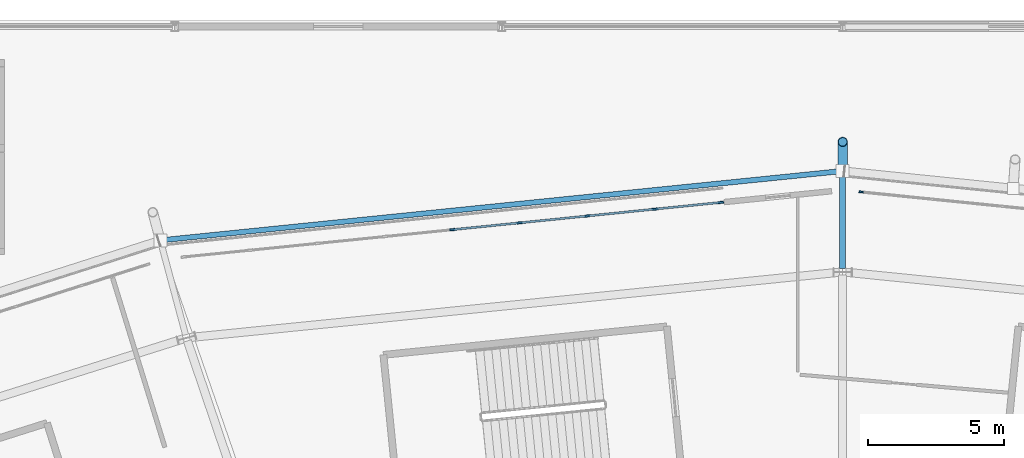
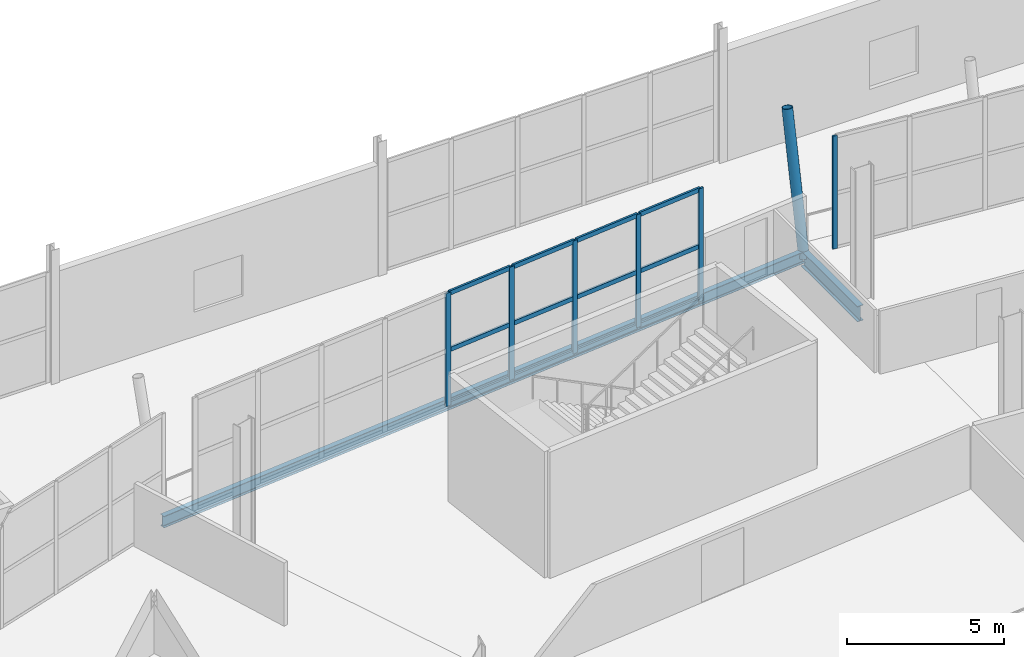
# One storey, part 70 of 168: 19 members, 2 beams, 2 elements without a shape of their own.
"""IFC4 building model written with IfcOpenShell, lengths in metres."""

from ifc_helpers import new_model, si_unit, direction, frame, origin, origin_2d, place, context, subcontext, project, spatial, rectangle, hollow_circle, i_section, extrude, material, material_profile, profile_set, type_object, element, aggregate, save


model = new_model("IFC4")

# Units and contexts
model_context = context("Model", 3, precision=1e-05, world=origin(), true_north=direction((0.0, 1.0)))
body_context = subcontext(model_context, "Body", "Model", "MODEL_VIEW")
ifc_project = project(units=[si_unit("LENGTHUNIT", "METRE"), si_unit("AREAUNIT", "SQUARE_METRE"), si_unit("VOLUMEUNIT", "CUBIC_METRE"), si_unit("PLANEANGLEUNIT", "RADIAN"), si_unit("MASSUNIT", "GRAM", prefix="KILO")], contexts=[model_context])

# Site, building, storey
site_placement = place(None, origin())
site = spatial("IfcSite", under=ifc_project, at=site_placement, CompositionType="ELEMENT")
building_placement = place(site_placement, origin())
building = spatial("IfcBuilding", under=site, at=building_placement, Name="Zlatoyarsky Gate Stadium", CompositionType="ELEMENT")
storey_placement = place(building_placement, frame((0.0, 0.0, 15.60009765625)))
storey = spatial("IfcBuildingStorey", under=building, at=storey_placement, Name="L03", CompositionType="ELEMENT", Elevation=15.60009765625)

# Curtain wall, members
ifc_material_1 = material(Name="Thermally broken anodised aluminium curtain wall", Category="aluminium")
curtain_wall_type_1 = type_object("IfcCurtainWallType", Name="MONUMENTAL ARCHED GATE GLAZING UPPER", PredefinedType="USERDEFINED", material=ifc_material_1)
curtain_wall_1_placement = place(storey_placement, origin())
curtain_wall_1 = element("IfcCurtainWall", 1, at=curtain_wall_1_placement, inside=storey, type_object=curtain_wall_type_1, Name="Curtain wall CW-L03-06", ObjectType="ARCHED GATE GLAZING", PredefinedType="USERDEFINED")
ifc_material_2 = material(Name="Anodised aluminium 6063-T6", Category="aluminium")
ifc_material_profile_1 = material_profile(ifc_material_2, rectangle(XDim=0.074951171875, YDim=0.18994140625, at=origin_2d()), Name="ALU 75X190")
ifc_profile_set_1 = profile_set([ifc_material_profile_1], Name="Anodised aluminium 6063-T6")
member_type_1 = type_object("IfcMemberType", Name="ALUMINIUM GATE MULLION 75X190", PredefinedType="MULLION", material=ifc_profile_set_1)
member_1_placement = place(storey_placement, frame((106.535400390625, 153.549072265625, 0.0), z_axis=(0.0, 0.0, 1.0), x_axis=(0.100967231657, -0.994889751747, 0.0)))
member_1 = element("IfcMember", 2, at=member_1_placement, type_object=member_type_1, Name="CW-AG2 mullion 1", PredefinedType="MULLION", context=body_context, shape_type="SweptSolid", body=[
    extrude(rectangle(XDim=0.074951171875, YDim=0.18994140625, at=origin_2d()), origin(), (0.0, 0.0, 1.0), 4.3798828125),
])
member_2_placement = place(storey_placement, frame((104.10107421875, 153.302001953125, 0.0), z_axis=(0.0, 0.0, 1.0), x_axis=(0.100967231657, -0.994889751747, 0.0)))
member_2 = element("IfcMember", 3, at=member_2_placement, type_object=member_type_1, Name="CW-AG2 mullion 2", PredefinedType="MULLION", context=body_context, shape_type="SweptSolid", body=[
    extrude(rectangle(XDim=0.074951171875, YDim=0.18994140625, at=origin_2d()), origin(), (0.0, 0.0, 1.0), 4.3798828125),
])
member_3_placement = place(storey_placement, frame((101.62939453125, 153.05126953125, 0.0), z_axis=(0.0, 0.0, 1.0), x_axis=(0.100967231657, -0.994889751747, 0.0)))
member_3 = element("IfcMember", 4, at=member_3_placement, type_object=member_type_1, Name="CW-AG2 mullion 3", PredefinedType="MULLION", context=body_context, shape_type="SweptSolid", body=[
    extrude(rectangle(XDim=0.074951171875, YDim=0.18994140625, at=origin_2d()), origin(), (0.0, 0.0, 1.0), 4.3798828125),
])
member_4_placement = place(storey_placement, frame((99.15771484375, 152.80029296875, 0.0), z_axis=(0.0, 0.0, 1.0), x_axis=(0.100967231657, -0.994889751747, 0.0)))
member_4 = element("IfcMember", 5, at=member_4_placement, type_object=member_type_1, Name="CW-AG2 mullion 4", PredefinedType="MULLION", context=body_context, shape_type="SweptSolid", body=[
    extrude(rectangle(XDim=0.074951171875, YDim=0.18994140625, at=origin_2d()), origin(), (0.0, 0.0, 1.0), 4.3798828125),
])
member_5_placement = place(storey_placement, frame((96.68603515625, 152.549560546875, 0.0), z_axis=(0.0, 0.0, 1.0), x_axis=(0.100967231657, -0.994889751747, 0.0)))
member_5 = element("IfcMember", 6, at=member_5_placement, type_object=member_type_1, Name="CW-AG2 mullion 5", PredefinedType="MULLION", context=body_context, shape_type="SweptSolid", body=[
    extrude(rectangle(XDim=0.074951171875, YDim=0.18994140625, at=origin_2d()), origin(), (0.0, 0.0, 1.0), 4.3798828125),
])
ifc_material_profile_2 = material_profile(ifc_material_2, rectangle(XDim=0.074951171875, YDim=0.169921875, at=origin_2d()), Name="ALU 75X170")
ifc_profile_set_2 = profile_set([ifc_material_profile_2], Name="Anodised aluminium 6063-T6")
member_type_2 = type_object("IfcMemberType", Name="ALUMINIUM GATE TRANSOM 75X170", PredefinedType="USERDEFINED", material=ifc_profile_set_2)
member_6_placement = place(storey_placement, frame((106.498046875, 153.54541015625, 0.037353515625), z_axis=(-0.99488831163, -0.100981420974, 0.0), x_axis=(0.100981420974, -0.99488831163, 0.0)))
member_6 = element("IfcMember", 7, at=member_6_placement, type_object=member_type_2, Name="CW-AG2 transom 1.1", ObjectType="TRANSOM", PredefinedType="USERDEFINED", context=body_context, shape_type="SweptSolid", body=[
    extrude(rectangle(XDim=0.074951171875, YDim=0.169921875, at=origin_2d()), origin(), (0.0, 0.0, 1.0), 2.371826171875),
])
member_7_placement = place(storey_placement, frame((106.498046875, 153.54541015625, 2.14990234375), z_axis=(-0.99488831163, -0.100981420974, 0.0), x_axis=(0.100981420974, -0.99488831163, 0.0)))
member_7 = element("IfcMember", 8, at=member_7_placement, type_object=member_type_2, Name="CW-AG2 transom 1.2", ObjectType="TRANSOM", PredefinedType="USERDEFINED", context=body_context, shape_type="SweptSolid", body=[
    extrude(rectangle(XDim=0.074951171875, YDim=0.169921875, at=origin_2d()), origin(), (0.0, 0.0, 1.0), 2.371826171875),
])
member_8_placement = place(storey_placement, frame((106.498046875, 153.54541015625, 4.34228515625), z_axis=(-0.99488831163, -0.100981420974, 0.0), x_axis=(0.100981420974, -0.99488831163, 0.0)))
member_8 = element("IfcMember", 9, at=member_8_placement, type_object=member_type_2, Name="CW-AG2 transom 1.3", ObjectType="TRANSOM", PredefinedType="USERDEFINED", context=body_context, shape_type="SweptSolid", body=[
    extrude(rectangle(XDim=0.074951171875, YDim=0.169921875, at=origin_2d()), origin(), (0.0, 0.0, 1.0), 2.371826171875),
])
member_9_placement = place(storey_placement, frame((104.063720703125, 153.29833984375, 0.037353515625), z_axis=(-0.994883521034, -0.101028607707, 0.0), x_axis=(0.101028607707, -0.994883521034, 0.0)))
member_9 = element("IfcMember", 10, at=member_9_placement, type_object=member_type_2, Name="CW-AG2 transom 2.1", ObjectType="TRANSOM", PredefinedType="USERDEFINED", context=body_context, shape_type="SweptSolid", body=[
    extrude(rectangle(XDim=0.074951171875, YDim=0.169921875, at=origin_2d()), origin(), (0.0, 0.0, 1.0), 2.4091796875),
])
member_10_placement = place(storey_placement, frame((104.063720703125, 153.29833984375, 2.14990234375), z_axis=(-0.994883521034, -0.101028607707, 0.0), x_axis=(0.101028607707, -0.994883521034, 0.0)))
member_10 = element("IfcMember", 11, at=member_10_placement, type_object=member_type_2, Name="CW-AG2 transom 2.2", ObjectType="TRANSOM", PredefinedType="USERDEFINED", context=body_context, shape_type="SweptSolid", body=[
    extrude(rectangle(XDim=0.074951171875, YDim=0.169921875, at=origin_2d()), origin(), (0.0, 0.0, 1.0), 2.4091796875),
])
member_11_placement = place(storey_placement, frame((104.063720703125, 153.29833984375, 4.34228515625), z_axis=(-0.994883521034, -0.101028607707, 0.0), x_axis=(0.101028607707, -0.994883521034, 0.0)))
member_11 = element("IfcMember", 12, at=member_11_placement, type_object=member_type_2, Name="CW-AG2 transom 2.3", ObjectType="TRANSOM", PredefinedType="USERDEFINED", context=body_context, shape_type="SweptSolid", body=[
    extrude(rectangle(XDim=0.074951171875, YDim=0.169921875, at=origin_2d()), origin(), (0.0, 0.0, 1.0), 2.4091796875),
])
member_12_placement = place(storey_placement, frame((101.592041015625, 153.04736328125, 0.037353515625), z_axis=(-0.994893701194, -0.100928307842, 0.0), x_axis=(0.100928307842, -0.994893701194, 0.0)))
member_12 = element("IfcMember", 13, at=member_12_placement, type_object=member_type_2, Name="CW-AG2 transom 3.1", ObjectType="TRANSOM", PredefinedType="USERDEFINED", context=body_context, shape_type="SweptSolid", body=[
    extrude(rectangle(XDim=0.074951171875, YDim=0.169921875, at=origin_2d()), origin(), (0.0, 0.0, 1.0), 2.4091796875),
])
member_13_placement = place(storey_placement, frame((101.592041015625, 153.04736328125, 2.14990234375), z_axis=(-0.994893701194, -0.100928307842, 0.0), x_axis=(0.100928307842, -0.994893701194, 0.0)))
member_13 = element("IfcMember", 14, at=member_13_placement, type_object=member_type_2, Name="CW-AG2 transom 3.2", ObjectType="TRANSOM", PredefinedType="USERDEFINED", context=body_context, shape_type="SweptSolid", body=[
    extrude(rectangle(XDim=0.074951171875, YDim=0.169921875, at=origin_2d()), origin(), (0.0, 0.0, 1.0), 2.4091796875),
])
member_14_placement = place(storey_placement, frame((101.592041015625, 153.04736328125, 4.34228515625), z_axis=(-0.994893701194, -0.100928307842, 0.0), x_axis=(0.100928307842, -0.994893701194, 0.0)))
member_14 = element("IfcMember", 15, at=member_14_placement, type_object=member_type_2, Name="CW-AG2 transom 3.3", ObjectType="TRANSOM", PredefinedType="USERDEFINED", context=body_context, shape_type="SweptSolid", body=[
    extrude(rectangle(XDim=0.074951171875, YDim=0.169921875, at=origin_2d()), origin(), (0.0, 0.0, 1.0), 2.4091796875),
])
member_15_placement = place(storey_placement, frame((99.120361328125, 152.796630859375, 0.037353515625), z_axis=(-0.994883521034, -0.101028607707, 0.0), x_axis=(0.101028607707, -0.994883521034, 0.0)))
member_15 = element("IfcMember", 16, at=member_15_placement, type_object=member_type_2, Name="CW-AG2 transom 4.1", ObjectType="TRANSOM", PredefinedType="USERDEFINED", context=body_context, shape_type="SweptSolid", body=[
    extrude(rectangle(XDim=0.074951171875, YDim=0.169921875, at=origin_2d()), origin(), (0.0, 0.0, 1.0), 2.4091796875),
])
member_16_placement = place(storey_placement, frame((99.120361328125, 152.796630859375, 2.14990234375), z_axis=(-0.994883521034, -0.101028607707, 0.0), x_axis=(0.101028607707, -0.994883521034, 0.0)))
member_16 = element("IfcMember", 17, at=member_16_placement, type_object=member_type_2, Name="CW-AG2 transom 4.2", ObjectType="TRANSOM", PredefinedType="USERDEFINED", context=body_context, shape_type="SweptSolid", body=[
    extrude(rectangle(XDim=0.074951171875, YDim=0.169921875, at=origin_2d()), origin(), (0.0, 0.0, 1.0), 2.4091796875),
])
member_17_placement = place(storey_placement, frame((99.120361328125, 152.796630859375, 4.34228515625), z_axis=(-0.994883521034, -0.101028607707, 0.0), x_axis=(0.101028607707, -0.994883521034, 0.0)))
member_17 = element("IfcMember", 18, at=member_17_placement, type_object=member_type_2, Name="CW-AG2 transom 4.3", ObjectType="TRANSOM", PredefinedType="USERDEFINED", context=body_context, shape_type="SweptSolid", body=[
    extrude(rectangle(XDim=0.074951171875, YDim=0.169921875, at=origin_2d()), origin(), (0.0, 0.0, 1.0), 2.4091796875),
])
aggregate(curtain_wall_1, [member_1, member_2, member_3, member_4, member_5, member_6, member_7, member_8, member_9, member_10, member_11, member_12, member_13, member_14, member_15, member_16, member_17])

# Curtain wall, member
curtain_wall_type_2 = type_object("IfcCurtainWallType", Name="UNITISED CORPORATE BOX GLAZING L03", PredefinedType="USERDEFINED", material=ifc_material_1)
curtain_wall_2_placement = place(storey_placement, origin())
curtain_wall_2 = element("IfcCurtainWall", 19, at=curtain_wall_2_placement, inside=storey, type_object=curtain_wall_type_2, Name="Curtain wall CW-L03-05", ObjectType="UNITISED GLAZING", PredefinedType="USERDEFINED")
ifc_material_profile_3 = material_profile(ifc_material_2, rectangle(XDim=0.06494140625, YDim=0.159912109375, at=origin_2d()), Name="ALU 65X160")
ifc_profile_set_3 = profile_set([ifc_material_profile_3], Name="Anodised aluminium 6063-T6")
member_type_3 = type_object("IfcMemberType", Name="ALUMINIUM MULLION 65X160", PredefinedType="MULLION", material=ifc_profile_set_3)
member_18_placement = place(storey_placement, frame((111.678955078125, 153.933349609375, 0.0), z_axis=(0.0, 0.0, 1.0), x_axis=(-0.100968176403, -0.994889655868, 0.0)))
member_18 = element("IfcMember", 20, at=member_18_placement, type_object=member_type_3, Name="CW-UG3 mullion 10", PredefinedType="MULLION", context=body_context, shape_type="SweptSolid", body=[
    extrude(rectangle(XDim=0.06494140625, YDim=0.159912109375, at=origin_2d()), origin(), (0.0, 0.0, 1.0), 4.3798828125),
])
aggregate(curtain_wall_2, [member_18])

# Beams
ifc_material_3 = material(Name="Steel S355", Category="steel")
ifc_material_profile_4 = material_profile(ifc_material_3, i_section(OverallWidth=0.219970703125, OverallDepth=0.60009765625, WebThickness=0.011962890625, FlangeThickness=0.01904296875, FilletRadius=0.02392578125, at=origin_2d()), Name="IPE 600")
ifc_profile_set_4 = profile_set([ifc_material_profile_4], Name="Steel S355")
beam_type_1 = type_object("IfcBeamType", Name="STEEL CANTILEVER FLOOR BEAM IPE 600", PredefinedType="BEAM", material=ifc_profile_set_4)
beam_1_placement = place(storey_placement, frame((111.0, 151.1201171875, -0.580078125), z_axis=(0.0, 1.0, 0.0), x_axis=(-1.0, 0.0, 0.0)))
element("IfcBeam", 21, at=beam_1_placement, inside=storey, type_object=beam_type_1, Name="Beam B-IPE600 BM-L03-OUT-06", PredefinedType="BEAM", context=body_context, shape_type="SweptSolid", body=[
    extrude(i_section(OverallWidth=0.219970703125, OverallDepth=0.60009765625, WebThickness=0.011962890625, FlangeThickness=0.01904296875, FilletRadius=0.02392578125, at=origin_2d()), origin(), (0.0, 0.0, 1.0), 3.58203125),
])
ifc_material_profile_5 = material_profile(ifc_material_3, i_section(OverallWidth=0.18994140625, OverallDepth=0.449951171875, WebThickness=0.009521484375, FlangeThickness=0.0146484375, FilletRadius=0.02099609375, at=origin_2d()), Name="IPE 450")
ifc_profile_set_5 = profile_set([ifc_material_profile_5], Name="Steel S355")
beam_type_2 = type_object("IfcBeamType", Name="STEEL EDGE SPANDREL IPE 450", PredefinedType="SPANDREL", material=ifc_profile_set_5)
beam_2_placement = place(storey_placement, frame((110.97998046875, 154.7001953125, -0.505126953125), z_axis=(-0.994867643299, -0.101184842327, 0.0), x_axis=(0.101184842327, -0.994867643299, 0.0)))
element("IfcBeam", 22, at=beam_2_placement, inside=storey, type_object=beam_type_2, Name="Beam SP-IPE450 BM-L03-SPD-06", PredefinedType="SPANDREL", context=body_context, shape_type="SweptSolid", body=[
    extrude(i_section(OverallWidth=0.18994140625, OverallDepth=0.449951171875, WebThickness=0.009521484375, FlangeThickness=0.0146484375, FilletRadius=0.02099609375, at=origin_2d()), origin(), (0.0, 0.0, 1.0), 25.117431640625),
])

# Member
ifc_material_profile_6 = material_profile(ifc_material_3, hollow_circle(Radius=0.177734375, WallThickness=0.02001953125, at=origin_2d()), Name="CHS 355.6X20")
ifc_profile_set_6 = profile_set([ifc_material_profile_6], Name="Steel S355")
member_type_4 = type_object("IfcMemberType", Name="STEEL LEANING RIB RING STRUT CHS 355.6X20", PredefinedType="STRUT", material=ifc_profile_set_6)
member_19_placement = place(storey_placement, frame((111.0, 154.7021484375, -0.580078125), z_axis=(0.0, 0.201820940285, 0.97942243596), x_axis=(-1.0, 0.0, 0.0)))
element("IfcMember", 23, at=member_19_placement, inside=storey, type_object=member_type_4, Name="Leaning ring strut 06 L03 to L04", PredefinedType="STRUT", context=body_context, shape_type="SweptSolid", body=[
    extrude(hollow_circle(Radius=0.177734375, WallThickness=0.02001953125, at=origin_2d()), origin(), (0.0, 0.0, 1.0), 5.288818359375),
])

save(model, "model.ifc")
